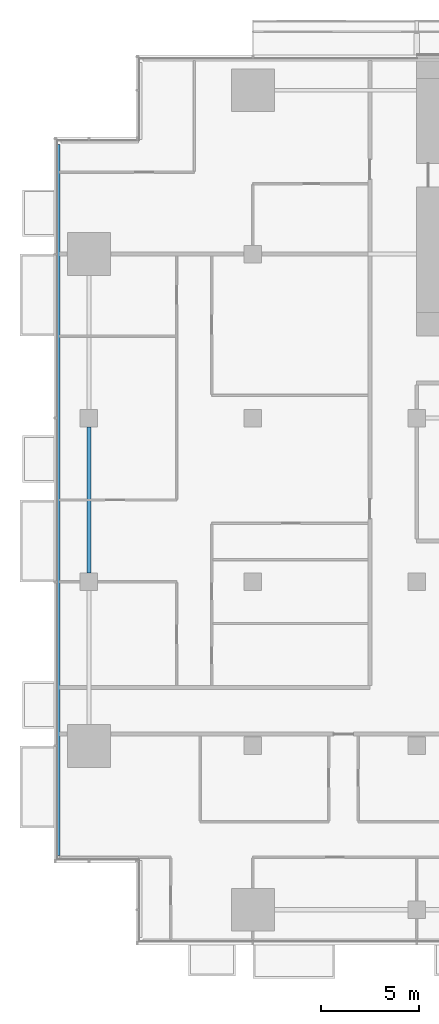
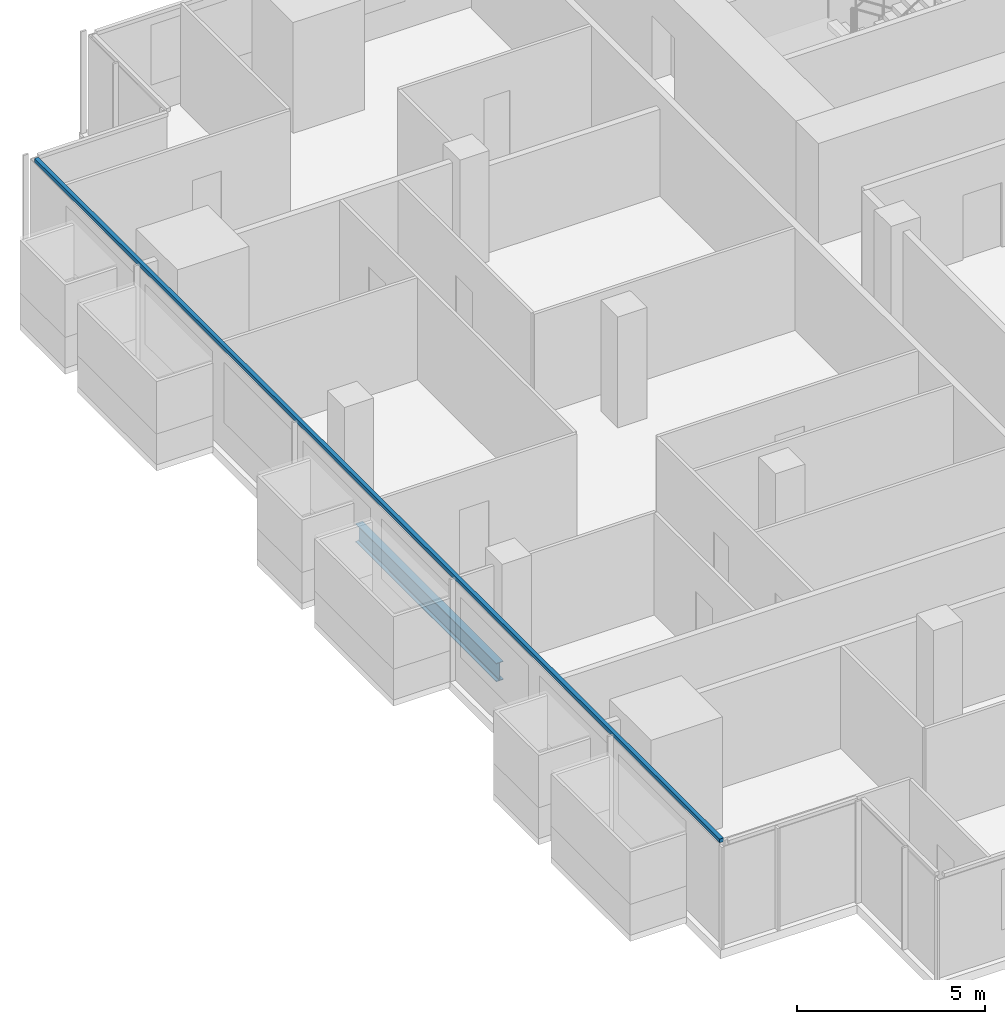
# One storey, part 3 of 27: 1 beam, 1 member, 1 element without a shape of its own.
"""IFC4 building model written with IfcOpenShell, lengths in metres."""

from ifc_helpers import new_model, si_unit, direction, frame, origin, origin_2d, place, context, subcontext, project, spatial, rectangle, i_section, extrude, material, material_profile, profile_set, type_object, element, aggregate, save


model = new_model("IFC4")

# Units and contexts
model_context = context("Model", 3, precision=1e-05, world=origin(), true_north=direction((0.0, 1.0)))
body_context = subcontext(model_context, "Body", "Model", "MODEL_VIEW")
ifc_project = project(units=[si_unit("LENGTHUNIT", "METRE"), si_unit("AREAUNIT", "SQUARE_METRE"), si_unit("VOLUMEUNIT", "CUBIC_METRE"), si_unit("PLANEANGLEUNIT", "RADIAN"), si_unit("MASSUNIT", "GRAM", prefix="KILO")], contexts=[model_context])

# Site, building, storey
site_placement = place(None, origin())
site = spatial("IfcSite", under=ifc_project, at=site_placement, CompositionType="ELEMENT")
building_placement = place(site_placement, origin())
building = spatial("IfcBuilding", under=site, at=building_placement, Name="Saffron Gate Tower", CompositionType="ELEMENT")
storey_placement = place(building_placement, frame((0.0, 0.0, 44.39990234375)))
storey = spatial("IfcBuildingStorey", under=building, at=storey_placement, Name="L09", CompositionType="ELEMENT", Elevation=44.39990234375)

# Beam
ifc_material_1 = material(Name="Structural steel S355", Category="steel")
ifc_material_profile_1 = material_profile(ifc_material_1, i_section(OverallWidth=0.219970703125, OverallDepth=0.60009765625, WebThickness=0.011962890625, FlangeThickness=0.01904296875, FilletRadius=0.02392578125, at=origin_2d()))
ifc_profile_set_1 = profile_set([ifc_material_profile_1], Name="Structural steel S355")
beam_type = type_object("IfcBeamType", Name="B16 IPE 600", PredefinedType="SPANDREL", material=ifc_profile_set_1)
beam_placement = place(storey_placement, frame((49.800048828125, 49.050048828125, -0.579833984375), z_axis=(0.0, 1.0, 0.0), x_axis=(-1.0, 0.0, 0.0)))
element("IfcBeam", 1, at=beam_placement, inside=storey, type_object=beam_type, Name="B16 SPANDREL BEAM", PredefinedType="SPANDREL", context=body_context, shape_type="SweptSolid", body=[
    extrude(i_section(OverallWidth=0.219970703125, OverallDepth=0.60009765625, WebThickness=0.011962890625, FlangeThickness=0.01904296875, FilletRadius=0.02392578125, at=origin_2d()), origin(), (0.0, 0.0, 1.0), 7.5),
])

# Curtain wall, member
ifc_material_2 = material(Name="Aluminium, bronze anodised", Category="aluminium")
curtain_wall_type = type_object("IfcCurtainWallType", Name="CWS2 curtain wall side facades", PredefinedType="NOTDEFINED", material=ifc_material_2)
curtain_wall_placement = place(storey_placement, origin())
curtain_wall = element("IfcCurtainWall", 2, at=curtain_wall_placement, inside=storey, type_object=curtain_wall_type, Name="CWS2 run 10", PredefinedType="NOTDEFINED")
ifc_material_profile_2 = material_profile(ifc_material_2, rectangle(XDim=0.1201171875, YDim=0.1201171875, at=origin_2d()))
ifc_profile_set_2 = profile_set([ifc_material_profile_2], Name="Aluminium, bronze anodised")
member_type = type_object("IfcMemberType", Name="CWS2 head transom", PredefinedType="USERDEFINED", material=ifc_profile_set_2)
member_placement = place(storey_placement, frame((48.248046875, 71.031982421875, 3.260009765625), z_axis=(0.0, -1.0, 0.0), x_axis=(1.0, 0.0, 0.0)))
member = element("IfcMember", 3, at=member_placement, type_object=member_type, Name="CWS2 head transom", ObjectType="TRANSOM", PredefinedType="USERDEFINED", context=body_context, shape_type="SweptSolid", body=[
    extrude(rectangle(XDim=0.1201171875, YDim=0.1201171875, at=origin_2d()), origin(), (0.0, 0.0, 1.0), 36.4638671875),
])
aggregate(curtain_wall, [member])

save(model, "model.ifc")
